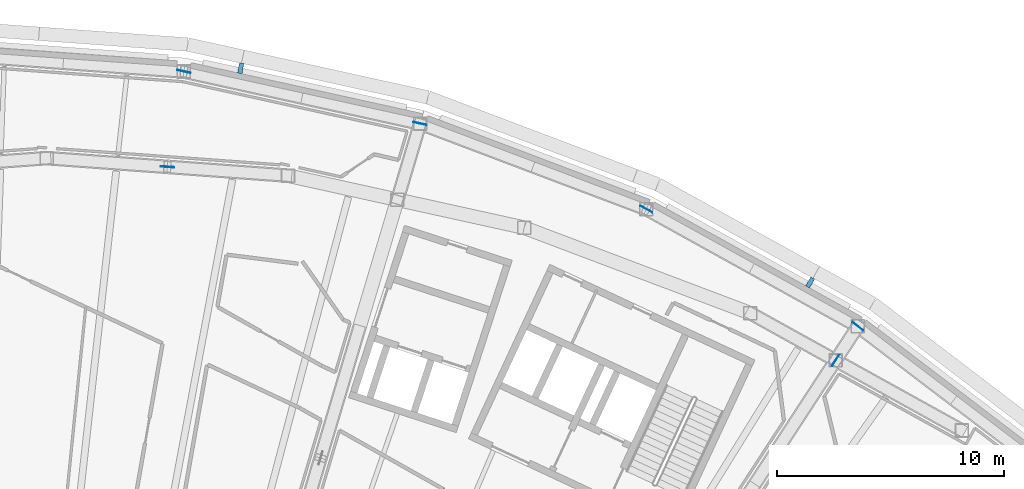
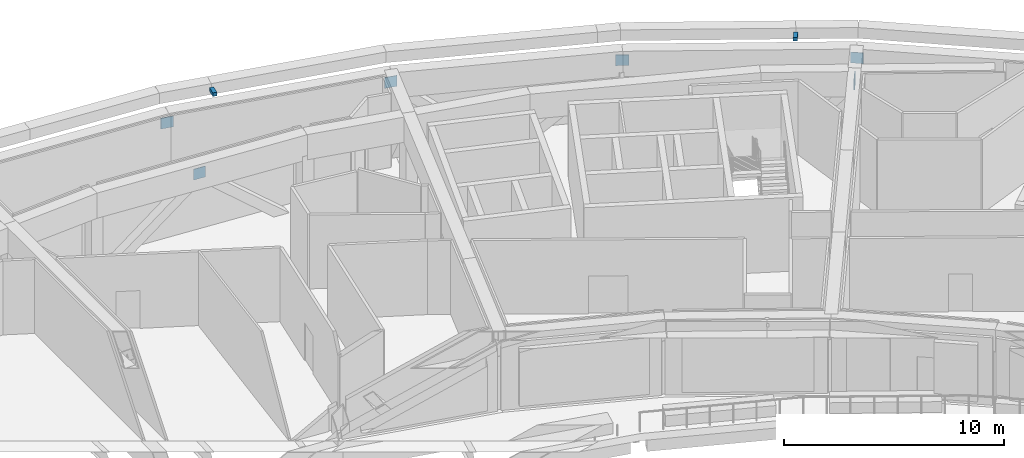
# One storey, part 18 of 24: 8 discrete accessories.
"""IFC4 building model written with IfcOpenShell, lengths in metres."""

import ifcopenshell
import ifcopenshell.guid

model = None  # the IFC model being written
_history = None  # IfcOwnerHistory: only IFC2X3 demands one
_inside = {}  # id of a spatial element -> (the spatial element, [elements in it])
_under = {}  # id of a project, library or spatial element -> (it, [spatial elements below it])
_declared = {}  # id of a project -> (the project, [libraries it declares])
_typed = {}  # id of a type object -> (the type object, [elements of that type])
_made_of = {}  # id of a material, layer set ... -> (it, [elements and type objects made of it])


def new_model(schema):
    """Start an empty IFC model of exactly this schema.

    Asked for "IFC4X3", IfcOpenShell would pick the latest addendum, in which some entities
    have other attributes; the version numbers below select the first issue.
    IFC2X3 requires an IfcOwnerHistory on every rooted entity: one is made here for all.
    """
    global model, _history
    if schema == "IFC4X3":
        model = ifcopenshell.file(schema_version=(4, 3, 0, 0))
    else:
        model = ifcopenshell.file(schema=schema)
    _inside.clear()
    _under.clear()
    _declared.clear()
    _typed.clear()
    _made_of.clear()
    _history = None
    if model.schema == "IFC2X3":
        org = make("IfcOrganization", Name="unknown")
        user = make(
            "IfcPersonAndOrganization",
            ThePerson=make("IfcPerson", FamilyName="unknown"),
            TheOrganization=org,
        )
        app = make(
            "IfcApplication",
            ApplicationDeveloper=org,
            Version="unknown",
            ApplicationFullName="unknown",
            ApplicationIdentifier="unknown",
        )
        _history = make(
            "IfcOwnerHistory",
            OwningUser=user,
            OwningApplication=app,
            ChangeAction="ADDED",
            CreationDate=0,
        )
    return model


def make(cls, **values):
    """One entity of the class cls with the attributes given. An attribute that is None is left unset."""
    return model.create_entity(
        cls, **{name: value for name, value in values.items() if value is not None}
    )


def rooted(cls, **values):
    """An entity with a GlobalId (a new one), such as an element, a storey or a relation."""
    return make(cls, GlobalId=ifcopenshell.guid.new(), OwnerHistory=_history, **values)


def si_unit(unit_type, name, prefix=None):
    """IfcSIUnit, for example si_unit("LENGTHUNIT", "METRE", prefix="MILLI")."""
    return make("IfcSIUnit", UnitType=unit_type, Prefix=prefix, Name=name)


def assignment(units):
    """IfcUnitAssignment: the units of a project."""
    return None if units is None else make("IfcUnitAssignment", Units=units)


def point(xyz):
    """IfcCartesianPoint."""
    return None if xyz is None else make("IfcCartesianPoint", Coordinates=xyz)


def direction(xyz):
    """IfcDirection."""
    return None if xyz is None else make("IfcDirection", DirectionRatios=xyz)


def frame(location, z_axis=None, x_axis=None):
    """IfcAxis2Placement3D, a coordinate frame: its origin and axes. An axis left out is left unset."""
    return make(
        "IfcAxis2Placement3D",
        Location=point(location),
        Axis=direction(z_axis),
        RefDirection=direction(x_axis),
    )


def frame_2d(location, x_axis=None):
    """IfcAxis2Placement2D, a coordinate frame in the plane: its origin and x axis."""
    return make(
        "IfcAxis2Placement2D", Location=point(location), RefDirection=direction(x_axis)
    )


def origin():
    """The frame at (0, 0, 0) with its axes left unset."""
    return frame((0.0, 0.0, 0.0))


def origin_2d():
    """The frame at (0, 0) in the plane with its x axis left unset."""
    return frame_2d((0.0, 0.0))


def place(relative_to, where):
    """IfcLocalPlacement: puts the frame where relative to a parent placement (None: the world)."""
    return make(
        "IfcLocalPlacement", PlacementRelTo=relative_to, RelativePlacement=where
    )


def context(
    kind, dimensions, precision=None, world=None, true_north=None, identifier=None
):
    """IfcGeometricRepresentationContext, for example the 3D "Model" context."""
    return make(
        "IfcGeometricRepresentationContext",
        ContextIdentifier=identifier,
        ContextType=kind,
        CoordinateSpaceDimension=dimensions,
        Precision=precision,
        WorldCoordinateSystem=world,
        TrueNorth=true_north,
    )


def subcontext(parent, identifier, kind, view, scale=None):
    """IfcGeometricRepresentationSubContext, for example "Body" below "Model"."""
    return make(
        "IfcGeometricRepresentationSubContext",
        ContextIdentifier=identifier,
        ContextType=kind,
        ParentContext=parent,
        TargetScale=scale,
        TargetView=view,
    )


def project(units=None, contexts=None):
    """IfcProject with its units and contexts."""
    return rooted(
        "IfcProject",
        Name="project",
        RepresentationContexts=contexts,
        UnitsInContext=assignment(units),
    )


def spatial(cls, under=None, at=None, **own):
    """A site, building, storey or space (cls), placed at a placement, below another one or the project."""
    s = rooted(cls, ObjectPlacement=at, **own)
    if under is not None:
        _under.setdefault(under.id(), (under, []))[1].append(s)
    return s


def profile(cls, at=None, kind="AREA", **sizes):
    """A parametric profile (cls). Its sizes go by their IFC names, for example OverallWidth=200.0."""
    return make(cls, ProfileType=kind, Position=at, **sizes)


def rectangle(**sizes):
    """IfcRectangleProfileDef."""
    return profile("IfcRectangleProfileDef", **sizes)


def extrude(swept, where, along, depth):
    """IfcExtrudedAreaSolid: the profile swept, set in the frame where, extruded along a direction by depth."""
    return make(
        "IfcExtrudedAreaSolid",
        SweptArea=swept,
        Position=where,
        ExtrudedDirection=direction(along),
        Depth=depth,
    )


def shape(context_of_items, identifier, shape_type, items):
    """IfcShapeRepresentation: the items that make up one representation, for example the "Body"."""
    return make(
        "IfcShapeRepresentation",
        ContextOfItems=context_of_items,
        RepresentationIdentifier=identifier,
        RepresentationType=shape_type,
        Items=items,
    )


def material(Name=None, Category=None):
    """IfcMaterial."""
    return make("IfcMaterial", Name=Name, Category=Category)


def made_of(thing, what):
    """Note that an element or type object is made of a material, layer set ...; save() writes the relation."""
    if what is not None:
        _made_of.setdefault(what.id(), (what, []))[1].append(thing)
    return thing


def type_object(cls, material=None, **own):
    """A type object (cls), such as IfcWallType, which elements share."""
    return made_of(rooted(cls, **own), material)


def element(
    cls,
    number,
    at=None,
    inside=None,
    cuts=None,
    type_object=None,
    material=None,
    context=None,
    identifier="Body",
    shape_type=None,
    held_by="IfcProductDefinitionShape",
    body=None,
    shapes=None,
    **own,
):
    """One element of the class cls, such as IfcWall. Its Tag is "e" and its number.

    at: its placement. inside: the storey or other place that contains it. cuts: it is an
    opening in that element (IfcRelVoidsElement). A single representation is given by context,
    identifier, shape_type and body (its items); several are given by shapes. held_by: the class
    of the entity that holds the representations. save() writes the other relations.
    """
    e = rooted(cls, Tag="e%d" % number, ObjectPlacement=at, **own)
    if body is not None:
        shapes = [shape(context, identifier, shape_type, body)]
    if shapes is not None:
        e.Representation = make(held_by, Representations=shapes)
    if inside is not None:
        _inside.setdefault(inside.id(), (inside, []))[1].append(e)
    if cuts is not None:
        rooted(
            "IfcRelVoidsElement", RelatingBuildingElement=cuts, RelatedOpeningElement=e
        )
    if type_object is not None:
        _typed.setdefault(type_object.id(), (type_object, []))[1].append(e)
    return made_of(e, material)


def aggregate(whole, parts):
    """IfcRelAggregates: a whole, such as a stair, and the parts it consists of."""
    return rooted("IfcRelAggregates", RelatingObject=whole, RelatedObjects=parts)


def save(model, path):
    """Write the relations noted so far, then the file.

    IfcRelAggregates (storeys below a building ...), IfcRelContainedInSpatialStructure (elements
    in a storey), IfcRelDefinesByType, IfcRelAssociatesMaterial and IfcRelDeclares: one each for
    every whole, place, type object, material and project.
    """
    for whole, parts in _under.values():
        aggregate(whole, parts)
    for where, things in _inside.values():
        rooted(
            "IfcRelContainedInSpatialStructure",
            RelatedElements=things,
            RelatingStructure=where,
        )
    for kind, things in _typed.values():
        rooted("IfcRelDefinesByType", RelatedObjects=things, RelatingType=kind)
    for what, things in _made_of.values():
        rooted("IfcRelAssociatesMaterial", RelatedObjects=things, RelatingMaterial=what)
    for by, libraries in _declared.values():
        rooted("IfcRelDeclares", RelatingContext=by, RelatedDefinitions=libraries)
    model.write(path)


model = new_model("IFC4")

# Units and contexts
model_context = context("Model", 3, precision=1e-05, world=origin(), true_north=direction((0.0, 1.0)))
body_context = subcontext(model_context, "Body", "Model", "MODEL_VIEW")
ifc_project = project(units=[si_unit("LENGTHUNIT", "METRE"), si_unit("AREAUNIT", "SQUARE_METRE"), si_unit("VOLUMEUNIT", "CUBIC_METRE"), si_unit("PLANEANGLEUNIT", "RADIAN"), si_unit("MASSUNIT", "GRAM", prefix="KILO")], contexts=[model_context])

# Site, building, storey
site_placement = place(None, origin())
site = spatial("IfcSite", under=ifc_project, at=site_placement, CompositionType="ELEMENT")
building_placement = place(site_placement, origin())
building = spatial("IfcBuilding", under=site, at=building_placement, Name="Tuul Gate Civic Tower", CompositionType="ELEMENT")
storey_placement = place(building_placement, frame((0.0, 0.0, 315.199951171875)))
storey = spatial("IfcBuildingStorey", under=building, at=storey_placement, Name="Plant and refuge floor 7", CompositionType="ELEMENT", Elevation=315.199951171875)

# Discrete accessories
ifc_material_1 = material(Name="Steel S355", Category="steel")
discrete_accessory_type_1 = type_object("IfcDiscreteAccessoryType", Name="Gusset plate", PredefinedType="BRACKET", material=ifc_material_1)
for number, where, z_axis, x_axis, name in (
    (1, (41.61181640625, 0.302001953125, 3.103759765625), (0.0, 0.0, 1.0), (0.546710516181, 0.837321689375, 0.0), "Gusset plate"),
    (2, (23.26904296875, 10.75830078125, 3.103271484375), (0.0, 0.0, 1.0), (-0.976568946286, 0.215204770275, 0.0), "Gusset plate"),
    (3, (12.841064453125, 13.05615234375, 3.103271484375), (0.0, 0.0, 1.0), (0.976568946286, -0.215204770275, 0.0), "Gusset plate"),
    (4, (12.113037109375, 8.845947265625, 3.103271484375), (0.0, 0.0, 1.0), (0.997383034413, -0.072298566141, 0.0), "Gusset plate"),
    (5, (42.59423828125, 1.80517578125, 3.103271484375), (0.0, 0.0, 1.0), (0.795663839612, -0.605738437227, 0.0), "Gusset plate"),
    (6, (33.256103515625, 6.982177734375, 3.103271484375), (0.0, 0.0, 1.0), (0.874585469632, -0.484871381202, 0.0), "Gusset plate"),
):
    element("IfcDiscreteAccessory", number, at=place(storey_placement, frame(where, z_axis=z_axis, x_axis=x_axis)), inside=storey, type_object=discrete_accessory_type_1, Name=name, PredefinedType="BRACKET", context=body_context, shape_type="SweptSolid", body=[
        extrude(rectangle(XDim=0.60009765625, YDim=0.030029296875, at=origin_2d()), origin(), (0.0, 0.0, 1.0), 0.60009765625),
    ])
ifc_material_2 = material(Name="Stainless steel", Category="steel")
discrete_accessory_type_2 = type_object("IfcDiscreteAccessoryType", Name="Screen bracket", PredefinedType="BRACKET", material=ifc_material_2)
for number, where, z_axis, x_axis, name in (
    (7, (40.490966796875, 3.742919921875, 4.05029296875), (0.0, 0.0, 1.0), (0.514604157599, 0.85742787509, 0.0), "Screen bracket 4"),
    (8, (15.35205078125, 13.1943359375, 4.05029296875), (0.0, 0.0, 1.0), (0.176796151487, 0.984247489618, 0.0), "Screen bracket 7"),
):
    element("IfcDiscreteAccessory", number, at=place(storey_placement, frame(where, z_axis=z_axis, x_axis=x_axis)), inside=storey, type_object=discrete_accessory_type_2, Name=name, PredefinedType="BRACKET", context=body_context, shape_type="SweptSolid", body=[
        extrude(rectangle(XDim=0.4501953125, YDim=0.199951171875, at=origin_2d()), origin(), (0.0, 0.0, 1.0), 0.199951171875),
    ])

save(model, "model.ifc")
